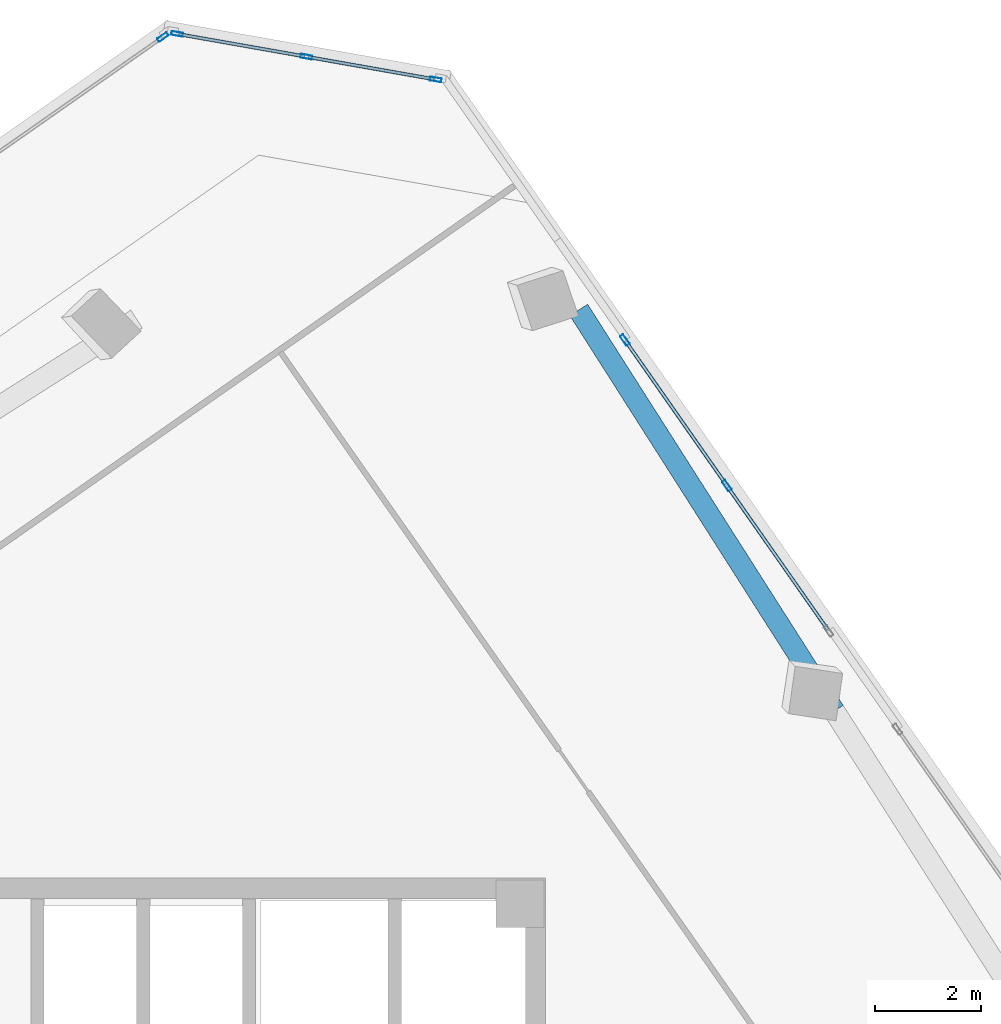
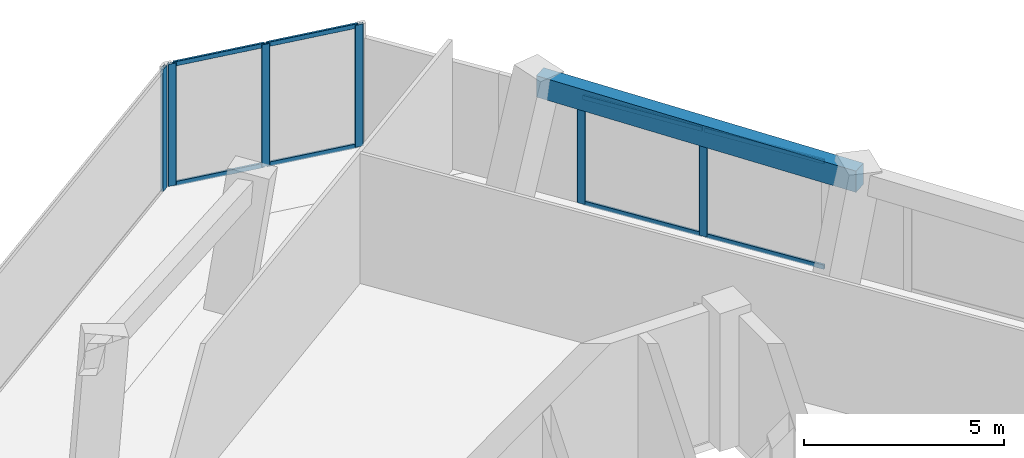
# One storey, part 9 of 15: 14 members, 1 beam, 3 elements without a shape of their own.
"""IFC4 building model written with IfcOpenShell, lengths in metres."""

from ifc_helpers import new_model, si_unit, direction, frame, origin, origin_2d, place, context, subcontext, project, spatial, rectangle, hollow_rectangle, extrude, source, transform, mapped, material, material_profile, profile_set, type_object, element, aggregate, save


model = new_model("IFC4")

# Units and contexts
model_context = context("Model", 3, precision=1e-05, world=origin(), true_north=direction((0.0, 1.0)))
body_context = subcontext(model_context, "Body", "Model", "MODEL_VIEW")
ifc_project = project(units=[si_unit("LENGTHUNIT", "METRE"), si_unit("AREAUNIT", "SQUARE_METRE"), si_unit("VOLUMEUNIT", "CUBIC_METRE"), si_unit("PLANEANGLEUNIT", "RADIAN"), si_unit("MASSUNIT", "GRAM", prefix="KILO")], contexts=[model_context])

# Site, building, storey
site_placement = place(None, origin())
site = spatial("IfcSite", under=ifc_project, at=site_placement, CompositionType="ELEMENT")
building_placement = place(site_placement, origin())
building = spatial("IfcBuilding", under=site, at=building_placement, Name="Torre Montelarca", CompositionType="ELEMENT")
storey_placement = place(building_placement, frame((0.0, 0.0, 303.0)))
storey = spatial("IfcBuildingStorey", under=building, at=storey_placement, Name="L68", CompositionType="ELEMENT", Elevation=303.0)

# Beam
ifc_material_1 = material(Name="Concrete C40/50", Category="concrete")
ifc_material_profile_1 = material_profile(ifc_material_1, rectangle(XDim=0.39990234375, YDim=0.64990234375, at=origin_2d()), Name="RCB400X650", Category="concrete")
ifc_profile_set_1 = profile_set([ifc_material_profile_1], Name="Concrete C40/50")
beam_type = type_object("IfcBeamType", Name="BM-SP-RC650-EXT", PredefinedType="SPANDREL", material=ifc_profile_set_1)
shared_shape_1 = source(origin(), body_context, "Body", "SweptSolid", [
    extrude(rectangle(XDim=0.39990234375, YDim=0.64990234375, at=origin_2d()), origin(), (0.0, 0.0, 1.0), 9.0),
])
beam_placement = place(storey_placement, frame((27.56103515625, 50.6826171875, 3.635009765625), z_axis=(0.5372966855, -0.843393307865, 0.0), x_axis=(0.843393307865, 0.5372966855, 0.0)))
element("IfcBeam", 1, at=beam_placement, inside=storey, type_object=beam_type, Name="L68 Grid Girder X 9.0-18.0 at Y=47.1", PredefinedType="SPANDREL", context=body_context, shape_type="MappedRepresentation", body=[
    mapped(shared_shape_1, transform((0.0, 0.0, 0.0), scale=1.0)),
])

# Curtain wall, members
ifc_material_2 = material(Name="Insulated low-E laminated glass", Category="glass")
curtain_wall_type = type_object("IfcCurtainWallType", Name="CW-SYS-Z4", PredefinedType="USERDEFINED", material=ifc_material_2)
curtain_wall_1_placement = place(storey_placement, origin())
curtain_wall_1 = element("IfcCurtainWall", 2, at=curtain_wall_1_placement, inside=storey, type_object=curtain_wall_type, Name="L68 Curtain Wall Run CW-T3-L68-E09-B1", ObjectType="UNITISED GLAZING", PredefinedType="USERDEFINED")
ifc_material_3 = material(Name="Anodised aluminium AA 6063-T6", Category="aluminium")
ifc_material_profile_2 = material_profile(ifc_material_3, hollow_rectangle(XDim=0.074951171875, YDim=0.219970703125, WallThickness=0.0048828125, InnerFilletRadius=0.0048828125, OuterFilletRadius=0.010009765625, at=origin_2d()), Name="ALU75X220X5", Category="aluminium")
ifc_profile_set_2 = profile_set([ifc_material_profile_2], Name="Anodised aluminium AA 6063-T6")
member_type_1 = type_object("IfcMemberType", Name="CWM-ALU220", PredefinedType="MULLION", material=ifc_profile_set_2)
shared_shape_2 = source(origin(), body_context, "Body", "SweptSolid", [
    extrude(hollow_rectangle(XDim=0.074951171875, YDim=0.219970703125, WallThickness=0.0048828125, InnerFilletRadius=0.0048828125, OuterFilletRadius=0.010009765625, at=origin_2d()), origin(), (0.0, 0.0, 1.0), 3.719970703125),
])
member_1_placement = place(storey_placement, frame((24.85400390625, 55.04296875, 0.0), z_axis=(0.0, 0.0, 1.0), x_axis=(-0.173634856638, -0.984810101776, 0.0)))
member_1 = element("IfcMember", 3, at=member_1_placement, type_object=member_type_1, Name="CW mullion 1", PredefinedType="MULLION", context=body_context, shape_type="MappedRepresentation", body=[
    mapped(shared_shape_2, transform((0.0, 0.0, 0.0), scale=1.0)),
])
member_2_placement = place(storey_placement, frame((22.408203125, 55.47412109375, 0.0), z_axis=(0.0, 0.0, 1.0), x_axis=(-0.173634856638, -0.984810101776, 0.0)))
member_2 = element("IfcMember", 4, at=member_2_placement, type_object=member_type_1, Name="CW mullion 2", PredefinedType="MULLION", context=body_context, shape_type="MappedRepresentation", body=[
    mapped(shared_shape_2, transform((0.0, 0.0, 0.0), scale=1.0)),
])
member_3_placement = place(storey_placement, frame((19.962158203125, 55.9052734375, 0.0), z_axis=(0.0, 0.0, 1.0), x_axis=(-0.173634856638, -0.984810101776, 0.0)))
member_3 = element("IfcMember", 5, at=member_3_placement, type_object=member_type_1, Name="CW mullion 3", PredefinedType="MULLION", context=body_context, shape_type="MappedRepresentation", body=[
    mapped(shared_shape_2, transform((0.0, 0.0, 0.0), scale=1.0)),
])

# Curtain wall, member
curtain_wall_2_placement = place(storey_placement, origin())
curtain_wall_2 = element("IfcCurtainWall", 6, at=curtain_wall_2_placement, inside=storey, type_object=curtain_wall_type, Name="L68 Curtain Wall Run CW-T3-L68-E10-B1", ObjectType="UNITISED GLAZING", PredefinedType="USERDEFINED")
member_4_placement = place(storey_placement, frame((19.692626953125, 55.845703125, 0.0), z_axis=(0.0, 0.0, 1.0), x_axis=(0.57357162512, -0.819155413128, 0.0)))
member_4 = element("IfcMember", 7, at=member_4_placement, type_object=member_type_1, Name="CW mullion 1", PredefinedType="MULLION", context=body_context, shape_type="MappedRepresentation", body=[
    mapped(shared_shape_2, transform((0.0, 0.0, 0.0), scale=1.0)),
])
aggregate(curtain_wall_2, [member_4])

# Member
ifc_material_profile_3 = material_profile(ifc_material_3, hollow_rectangle(XDim=0.06494140625, YDim=0.139892578125, WallThickness=0.00390625, InnerFilletRadius=0.00390625, OuterFilletRadius=0.008056640625, at=origin_2d()), Name="ALU65X140X4", Category="aluminium")
ifc_profile_set_3 = profile_set([ifc_material_profile_3], Name="Anodised aluminium AA 6063-T6")
member_type_2 = type_object("IfcMemberType", Name="CWT-ALU140", PredefinedType="USERDEFINED", material=ifc_profile_set_3)
shared_shape_3 = source(origin(), body_context, "Body", "SweptSolid", [
    extrude(hollow_rectangle(XDim=0.06494140625, YDim=0.139892578125, WallThickness=0.00390625, InnerFilletRadius=0.00390625, OuterFilletRadius=0.008056640625, at=origin_2d()), origin(), (0.0, 0.0, 1.0), 2.40869140625),
])
member_5_placement = place(storey_placement, frame((24.817138671875, 55.04931640625, 0.032470703125), z_axis=(-0.984811097241, 0.173629210537, 0.0), x_axis=(-0.173629210537, -0.984811097241, 0.0)))
member_5 = element("IfcMember", 8, at=member_5_placement, type_object=member_type_2, Name="CW transom 1.1", ObjectType="TRANSOM", PredefinedType="USERDEFINED", context=body_context, shape_type="MappedRepresentation", body=[
    mapped(shared_shape_3, transform((0.0, 0.0, 0.0), scale=1.0)),
])

member_6_placement = place(storey_placement, frame((24.817138671875, 55.04931640625, 3.6875), z_axis=(-0.984811097241, 0.173629210537, 0.0), x_axis=(-0.173629210537, -0.984811097241, 0.0)))
member_6 = element("IfcMember", 9, at=member_6_placement, type_object=member_type_2, Name="CW transom 1.2", ObjectType="TRANSOM", PredefinedType="USERDEFINED", context=body_context, shape_type="MappedRepresentation", body=[
    mapped(shared_shape_3, transform((0.0, 0.0, 0.0), scale=1.0)),
])

shared_shape_4 = source(origin(), body_context, "Body", "SweptSolid", [
    extrude(hollow_rectangle(XDim=0.06494140625, YDim=0.139892578125, WallThickness=0.00390625, InnerFilletRadius=0.00390625, OuterFilletRadius=0.008056640625, at=origin_2d()), origin(), (0.0, 0.0, 1.0), 2.408447265625),
])
member_7_placement = place(storey_placement, frame((22.37109375, 55.480712890625, 0.032470703125), z_axis=(-0.984808041081, 0.173646543939, 0.0), x_axis=(-0.173646543939, -0.984808041081, 0.0)))
member_7 = element("IfcMember", 10, at=member_7_placement, type_object=member_type_2, Name="CW transom 2.1", ObjectType="TRANSOM", PredefinedType="USERDEFINED", context=body_context, shape_type="MappedRepresentation", body=[
    mapped(shared_shape_4, transform((0.0, 0.0, 0.0), scale=1.0)),
])

member_8_placement = place(storey_placement, frame((22.37109375, 55.480712890625, 3.6875), z_axis=(-0.984808041081, 0.173646543939, 0.0), x_axis=(-0.173646543939, -0.984808041081, 0.0)))
member_8 = element("IfcMember", 11, at=member_8_placement, type_object=member_type_2, Name="CW transom 2.2", ObjectType="TRANSOM", PredefinedType="USERDEFINED", context=body_context, shape_type="MappedRepresentation", body=[
    mapped(shared_shape_4, transform((0.0, 0.0, 0.0), scale=1.0)),
])

aggregate(curtain_wall_1, [member_1, member_2, member_3, member_5, member_6, member_7, member_8])

# Curtain wall, members
curtain_wall_3_placement = place(storey_placement, origin())
curtain_wall_3 = element("IfcCurtainWall", 12, at=curtain_wall_3_placement, inside=storey, type_object=curtain_wall_type, Name="L68 Curtain Wall Run CW-T3-L68-E08-B2", ObjectType="UNITISED GLAZING", PredefinedType="USERDEFINED")
shared_shape_5 = source(origin(), body_context, "Body", "SweptSolid", [
    extrude(hollow_rectangle(XDim=0.074951171875, YDim=0.219970703125, WallThickness=0.0048828125, InnerFilletRadius=0.0048828125, OuterFilletRadius=0.010009765625, at=origin_2d()), origin(), (0.0, 0.0, 1.0), 3.27490234375),
])
member_9_placement = place(storey_placement, frame((30.36328125, 47.359130859375, 0.0), z_axis=(0.0, 0.0, 1.0), x_axis=(-0.819148307651, -0.573581772786, 0.0)))
member_9 = element("IfcMember", 13, at=member_9_placement, type_object=member_type_1, Name="CW mullion 2", PredefinedType="MULLION", context=body_context, shape_type="MappedRepresentation", body=[
    mapped(shared_shape_5, transform((0.0, 0.0, 0.0), scale=1.0)),
])
member_10_placement = place(storey_placement, frame((28.434814453125, 50.11328125, 0.0), z_axis=(0.0, 0.0, 1.0), x_axis=(-0.819148307651, -0.573581772786, 0.0)))
member_10 = element("IfcMember", 14, at=member_10_placement, type_object=member_type_1, Name="CW mullion 3", PredefinedType="MULLION", context=body_context, shape_type="MappedRepresentation", body=[
    mapped(shared_shape_5, transform((0.0, 0.0, 0.0), scale=1.0)),
])
shared_shape_6 = source(origin(), body_context, "Body", "SweptSolid", [
    extrude(hollow_rectangle(XDim=0.06494140625, YDim=0.139892578125, WallThickness=0.00390625, InnerFilletRadius=0.00390625, OuterFilletRadius=0.008056640625, at=origin_2d()), origin(), (0.0, 0.0, 1.0), 3.287109375),
])
member_11_placement = place(storey_placement, frame((32.270263671875, 44.6357421875, 0.032470703125), z_axis=(-0.573596922125, 0.819137699614, 0.0), x_axis=(-0.819137699614, -0.573596922125, 0.0)))
member_11 = element("IfcMember", 15, at=member_11_placement, type_object=member_type_2, Name="CW transom 1.1", ObjectType="TRANSOM", PredefinedType="USERDEFINED", context=body_context, shape_type="MappedRepresentation", body=[
    mapped(shared_shape_6, transform((0.0, 0.0, 0.0), scale=1.0)),
])
member_12_placement = place(storey_placement, frame((32.270263671875, 44.6357421875, 3.242431640625), z_axis=(-0.573596922125, 0.819137699614, 0.0), x_axis=(-0.819137699614, -0.573596922125, 0.0)))
member_12 = element("IfcMember", 16, at=member_12_placement, type_object=member_type_2, Name="CW transom 1.2", ObjectType="TRANSOM", PredefinedType="USERDEFINED", context=body_context, shape_type="MappedRepresentation", body=[
    mapped(shared_shape_6, transform((0.0, 0.0, 0.0), scale=1.0)),
])
shared_shape_7 = source(origin(), body_context, "Body", "SweptSolid", [
    extrude(hollow_rectangle(XDim=0.06494140625, YDim=0.139892578125, WallThickness=0.00390625, InnerFilletRadius=0.00390625, OuterFilletRadius=0.008056640625, at=origin_2d()), origin(), (0.0, 0.0, 1.0), 3.287353515625),
])
member_13_placement = place(storey_placement, frame((30.341796875, 47.3896484375, 0.032470703125), z_axis=(-0.573562027016, 0.819162133625, 0.0), x_axis=(-0.819162133625, -0.573562027016, 0.0)))
member_13 = element("IfcMember", 17, at=member_13_placement, type_object=member_type_2, Name="CW transom 2.1", ObjectType="TRANSOM", PredefinedType="USERDEFINED", context=body_context, shape_type="MappedRepresentation", body=[
    mapped(shared_shape_7, transform((0.0, 0.0, 0.0), scale=1.0)),
])
member_14_placement = place(storey_placement, frame((30.341796875, 47.3896484375, 3.242431640625), z_axis=(-0.573562027016, 0.819162133625, 0.0), x_axis=(-0.819162133625, -0.573562027016, 0.0)))
member_14 = element("IfcMember", 18, at=member_14_placement, type_object=member_type_2, Name="CW transom 2.2", ObjectType="TRANSOM", PredefinedType="USERDEFINED", context=body_context, shape_type="MappedRepresentation", body=[
    mapped(shared_shape_7, transform((0.0, 0.0, 0.0), scale=1.0)),
])
aggregate(curtain_wall_3, [member_9, member_10, member_11, member_12, member_13, member_14])

save(model, "model.ifc")
